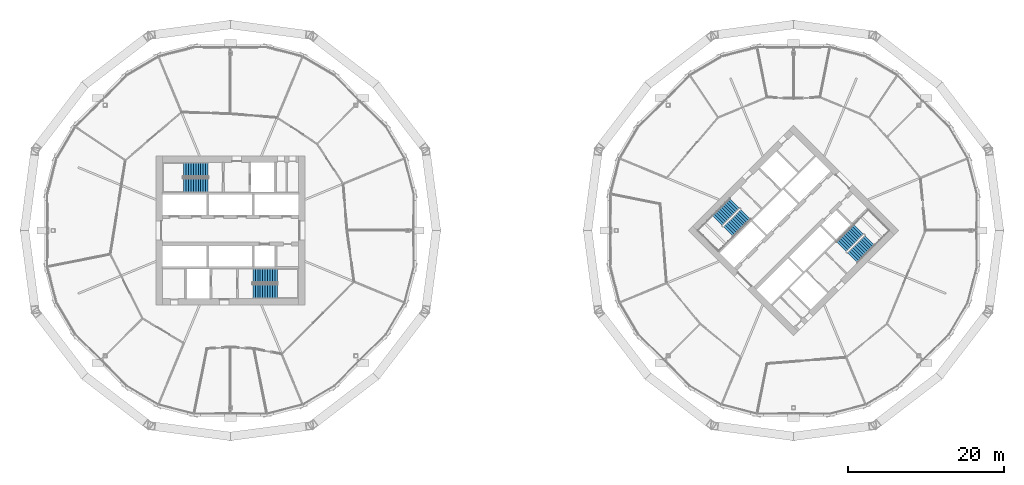
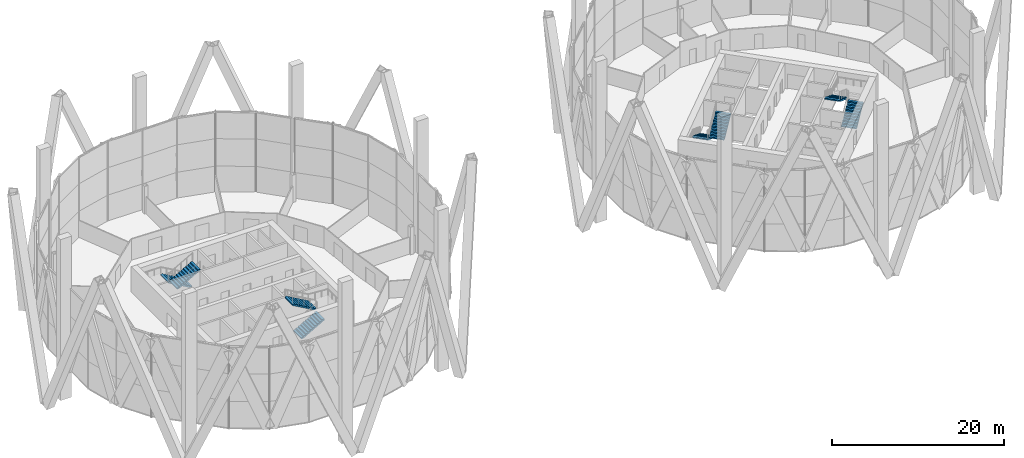
# One storey, part 23 of 26: 8 stair flights, 4 elements without a shape of their own.
"""IFC4 building model written with IfcOpenShell, lengths in metres."""

from ifc_helpers import new_model, si_unit, direction, frame, origin, place, context, subcontext, project, spatial, polyline, outline, extrude, material, type_object, element, aggregate, save


model = new_model("IFC4")

# Units and contexts
model_context = context("Model", 3, precision=1e-05, world=origin(), true_north=direction((0.0, 1.0)))
body_context = subcontext(model_context, "Body", "Model", "MODEL_VIEW")
ifc_project = project(units=[si_unit("LENGTHUNIT", "METRE"), si_unit("AREAUNIT", "SQUARE_METRE"), si_unit("VOLUMEUNIT", "CUBIC_METRE"), si_unit("PLANEANGLEUNIT", "RADIAN"), si_unit("MASSUNIT", "GRAM", prefix="KILO")], contexts=[model_context])

# Site, building, storey
site_placement = place(None, origin())
site = spatial("IfcSite", under=ifc_project, at=site_placement, CompositionType="ELEMENT")
building_placement = place(site_placement, origin())
building = spatial("IfcBuilding", under=site, at=building_placement, Name="Ogive Gate Towers", CompositionType="ELEMENT")
storey_placement = place(building_placement, frame((0.0, 0.0, 76.199951171875)))
storey = spatial("IfcBuildingStorey", under=building, at=storey_placement, Name="L17", CompositionType="ELEMENT", Elevation=76.199951171875)

# Stair, stair flights
ifc_material = material(Name="Concrete C40/50", Category="concrete")
stair_type = type_object("IfcStairType", Name="Escape stair 1840 wide", PredefinedType="HALF_TURN_STAIR", material=ifc_material)
stair_1_placement = place(storey_placement, origin())
stair_1 = element("IfcStair", 1, at=stair_1_placement, inside=storey, type_object=stair_type, Name="L17 Escape stair 1", PredefinedType="HALF_TURN_STAIR")
stair_flight_type = type_object("IfcStairFlightType", Name="Stair flight 1840 wide", PredefinedType="STRAIGHT", material=ifc_material)
stair_flight_1_placement = place(storey_placement, frame((-38.864990234375, 7.780029296875, 0.0), z_axis=(0.0, 0.0, 1.0), x_axis=(-1.0, 0.0, 0.0)))
stair_flight_1 = element("IfcStairFlight", 2, at=stair_flight_1_placement, type_object=stair_flight_type, Name="ST1 flight 1", NumberOfRisers=11, NumberOfTreads=10, PredefinedType="STRAIGHT", RiserHeight=0.177272727, TreadLength=0.313636364, context=body_context, shape_type="SweptSolid", body=[
    extrude(outline(polyline([(0.0, 0.0), (0.0, 0.17724609375), (0.313720703125, 0.17724609375), (0.313720703125, 0.3544921875), (0.627197265625, 0.3544921875), (0.627197265625, 0.53173828125), (0.94091796875, 0.53173828125), (0.94091796875, 0.708984375), (1.254638671875, 0.708984375), (1.254638671875, 0.886474609375), (1.568115234375, 0.886474609375), (1.568115234375, 1.063720703125), (1.8818359375, 1.063720703125), (1.8818359375, 1.240966796875), (2.195556640625, 1.240966796875), (2.195556640625, 1.418212890625), (2.509033203125, 1.418212890625), (2.509033203125, 1.595458984375), (2.82275390625, 1.595458984375), (2.82275390625, 1.772705078125), (3.136474609375, 1.772705078125), (3.136474609375, 1.949951171875), (3.136474609375, 1.6005859375), (0.3046875, 0.0), (0.0, 0.0)])), frame((0.0, 0.919921875, 0.0), z_axis=(0.0, -1.0, 0.0), x_axis=(1.0, 0.0, 0.0)), (0.0, 0.0, 1.0), 1.840087890625),
])
stair_flight_2_placement = place(storey_placement, frame((-42.00146484375, 5.794921875, 1.949951171875), z_axis=(0.0, 0.0, 1.0), x_axis=(1.0, 0.0, 0.0)))
stair_flight_2 = element("IfcStairFlight", 3, at=stair_flight_2_placement, type_object=stair_flight_type, Name="ST1 flight 2", NumberOfRisers=11, NumberOfTreads=10, PredefinedType="STRAIGHT", RiserHeight=0.177272727, TreadLength=0.313636364, context=body_context, shape_type="SweptSolid", body=[
    extrude(outline(polyline([(0.0, 0.0), (0.0, 0.17724609375), (0.313720703125, 0.17724609375), (0.313720703125, 0.3544921875), (0.627197265625, 0.3544921875), (0.627197265625, 0.53173828125), (0.94091796875, 0.53173828125), (0.94091796875, 0.708984375), (1.254638671875, 0.708984375), (1.254638671875, 0.886474609375), (1.568115234375, 0.886474609375), (1.568115234375, 1.063720703125), (1.8818359375, 1.063720703125), (1.8818359375, 1.240966796875), (2.195556640625, 1.240966796875), (2.195556640625, 1.418212890625), (2.509033203125, 1.418212890625), (2.509033203125, 1.595458984375), (2.82275390625, 1.595458984375), (2.82275390625, 1.772705078125), (3.136474609375, 1.772705078125), (3.136474609375, 1.949951171875), (3.136474609375, 1.6005859375), (0.3046875, 0.0), (0.0, 0.0)])), frame((0.0, 0.919921875, 0.0), z_axis=(0.0, -1.0, 0.0), x_axis=(1.0, 0.0, 0.0)), (0.0, 0.0, 1.0), 1.840087890625),
])
aggregate(stair_1, [stair_flight_1, stair_flight_2])

stair_2_placement = place(storey_placement, origin())
stair_2 = element("IfcStair", 4, at=stair_2_placement, inside=storey, type_object=stair_type, Name="L17 Escape stair 2", PredefinedType="HALF_TURN_STAIR")
stair_flight_3_placement = place(storey_placement, frame((-33.135009765625, -7.780029296875, 0.0), z_axis=(0.0, 0.0, 1.0), x_axis=(1.0, 0.0, 0.0)))
stair_flight_3 = element("IfcStairFlight", 5, at=stair_flight_3_placement, type_object=stair_flight_type, Name="ST2 flight 1", NumberOfRisers=11, NumberOfTreads=10, PredefinedType="STRAIGHT", RiserHeight=0.177272727, TreadLength=0.313636364, context=body_context, shape_type="SweptSolid", body=[
    extrude(outline(polyline([(0.0, 0.0), (0.0, 0.17724609375), (0.313720703125, 0.17724609375), (0.313720703125, 0.3544921875), (0.627197265625, 0.3544921875), (0.627197265625, 0.53173828125), (0.94091796875, 0.53173828125), (0.94091796875, 0.708984375), (1.254638671875, 0.708984375), (1.254638671875, 0.886474609375), (1.568115234375, 0.886474609375), (1.568115234375, 1.063720703125), (1.8818359375, 1.063720703125), (1.8818359375, 1.240966796875), (2.195556640625, 1.240966796875), (2.195556640625, 1.418212890625), (2.509033203125, 1.418212890625), (2.509033203125, 1.595458984375), (2.82275390625, 1.595458984375), (2.82275390625, 1.772705078125), (3.136474609375, 1.772705078125), (3.136474609375, 1.949951171875), (3.136474609375, 1.6005859375), (0.3046875, 0.0), (0.0, 0.0)])), frame((0.0, 0.919921875, 0.0), z_axis=(0.0, -1.0, 0.0), x_axis=(1.0, 0.0, 0.0)), (0.0, 0.0, 1.0), 1.840087890625),
])
stair_flight_4_placement = place(storey_placement, frame((-29.99853515625, -5.794921875, 1.949951171875), z_axis=(0.0, 0.0, 1.0), x_axis=(-1.0, 0.0, 0.0)))
stair_flight_4 = element("IfcStairFlight", 6, at=stair_flight_4_placement, type_object=stair_flight_type, Name="ST2 flight 2", NumberOfRisers=11, NumberOfTreads=10, PredefinedType="STRAIGHT", RiserHeight=0.177272727, TreadLength=0.313636364, context=body_context, shape_type="SweptSolid", body=[
    extrude(outline(polyline([(0.0, 0.0), (0.0, 0.17724609375), (0.313720703125, 0.17724609375), (0.313720703125, 0.3544921875), (0.627197265625, 0.3544921875), (0.627197265625, 0.53173828125), (0.94091796875, 0.53173828125), (0.94091796875, 0.708984375), (1.254638671875, 0.708984375), (1.254638671875, 0.886474609375), (1.568115234375, 0.886474609375), (1.568115234375, 1.063720703125), (1.8818359375, 1.063720703125), (1.8818359375, 1.240966796875), (2.195556640625, 1.240966796875), (2.195556640625, 1.418212890625), (2.509033203125, 1.418212890625), (2.509033203125, 1.595458984375), (2.82275390625, 1.595458984375), (2.82275390625, 1.772705078125), (3.136474609375, 1.772705078125), (3.136474609375, 1.949951171875), (3.136474609375, 1.6005859375), (0.3046875, 0.0), (0.0, 0.0)])), frame((0.0, 0.919921875, 0.0), z_axis=(0.0, -1.0, 0.0), x_axis=(1.0, 0.0, 0.0)), (0.0, 0.0, 1.0), 1.840087890625),
])
aggregate(stair_2, [stair_flight_3, stair_flight_4])

stair_3_placement = place(storey_placement, origin())
stair_3 = element("IfcStair", 7, at=stair_3_placement, inside=storey, type_object=stair_type, Name="L17 Escape stair 1", PredefinedType="HALF_TURN_STAIR")
stair_flight_5_placement = place(storey_placement, frame((28.472900390625, 3.475341796875, 0.0), z_axis=(0.0, 0.0, 1.0), x_axis=(-0.707106781187, -0.707106781187, 0.0)))
stair_flight_5 = element("IfcStairFlight", 8, at=stair_flight_5_placement, type_object=stair_flight_type, Name="ST1 flight 1", NumberOfRisers=11, NumberOfTreads=10, PredefinedType="STRAIGHT", RiserHeight=0.177272727, TreadLength=0.313636364, context=body_context, shape_type="SweptSolid", body=[
    extrude(outline(polyline([(0.0, 0.0), (0.0, 0.17724609375), (0.313720703125, 0.17724609375), (0.313720703125, 0.3544921875), (0.627197265625, 0.3544921875), (0.627197265625, 0.53173828125), (0.94091796875, 0.53173828125), (0.94091796875, 0.708984375), (1.254638671875, 0.708984375), (1.254638671875, 0.886474609375), (1.568115234375, 0.886474609375), (1.568115234375, 1.063720703125), (1.8818359375, 1.063720703125), (1.8818359375, 1.240966796875), (2.195556640625, 1.240966796875), (2.195556640625, 1.418212890625), (2.509033203125, 1.418212890625), (2.509033203125, 1.595458984375), (2.82275390625, 1.595458984375), (2.82275390625, 1.772705078125), (3.136474609375, 1.772705078125), (3.136474609375, 1.949951171875), (3.136474609375, 1.6005859375), (0.3046875, 0.0), (0.0, 0.0)])), frame((0.0, 0.919921875, 0.0), z_axis=(0.0, -1.0, 0.0), x_axis=(1.0, 0.0, 0.0)), (0.0, 0.0, 1.0), 1.840087890625),
])
stair_flight_6_placement = place(storey_placement, frame((27.65869140625, -0.14599609375, 1.949951171875), z_axis=(0.0, 0.0, 1.0), x_axis=(0.707106781187, 0.707106781187, 0.0)))
stair_flight_6 = element("IfcStairFlight", 9, at=stair_flight_6_placement, type_object=stair_flight_type, Name="ST1 flight 2", NumberOfRisers=11, NumberOfTreads=10, PredefinedType="STRAIGHT", RiserHeight=0.177272727, TreadLength=0.313636364, context=body_context, shape_type="SweptSolid", body=[
    extrude(outline(polyline([(0.0, 0.0), (0.0, 0.17724609375), (0.313720703125, 0.17724609375), (0.313720703125, 0.3544921875), (0.627197265625, 0.3544921875), (0.627197265625, 0.53173828125), (0.94091796875, 0.53173828125), (0.94091796875, 0.708984375), (1.254638671875, 0.708984375), (1.254638671875, 0.886474609375), (1.568115234375, 0.886474609375), (1.568115234375, 1.063720703125), (1.8818359375, 1.063720703125), (1.8818359375, 1.240966796875), (2.195556640625, 1.240966796875), (2.195556640625, 1.418212890625), (2.509033203125, 1.418212890625), (2.509033203125, 1.595458984375), (2.82275390625, 1.595458984375), (2.82275390625, 1.772705078125), (3.136474609375, 1.772705078125), (3.136474609375, 1.949951171875), (3.136474609375, 1.6005859375), (0.3046875, 0.0), (0.0, 0.0)])), frame((0.0, 0.919921875, 0.0), z_axis=(0.0, -1.0, 0.0), x_axis=(1.0, 0.0, 0.0)), (0.0, 0.0, 1.0), 1.840087890625),
])
aggregate(stair_3, [stair_flight_5, stair_flight_6])

stair_4_placement = place(storey_placement, origin())
stair_4 = element("IfcStair", 10, at=stair_4_placement, inside=storey, type_object=stair_type, Name="L17 Escape stair 2", PredefinedType="HALF_TURN_STAIR")
stair_flight_7_placement = place(storey_placement, frame((43.527099609375, -3.475341796875, 0.0), z_axis=(0.0, 0.0, 1.0), x_axis=(0.707106781187, 0.707106781187, 0.0)))
stair_flight_7 = element("IfcStairFlight", 11, at=stair_flight_7_placement, type_object=stair_flight_type, Name="ST2 flight 1", NumberOfRisers=11, NumberOfTreads=10, PredefinedType="STRAIGHT", RiserHeight=0.177272727, TreadLength=0.313636364, context=body_context, shape_type="SweptSolid", body=[
    extrude(outline(polyline([(0.0, 0.0), (0.0, 0.17724609375), (0.313720703125, 0.17724609375), (0.313720703125, 0.3544921875), (0.627197265625, 0.3544921875), (0.627197265625, 0.53173828125), (0.94091796875, 0.53173828125), (0.94091796875, 0.708984375), (1.254638671875, 0.708984375), (1.254638671875, 0.886474609375), (1.568115234375, 0.886474609375), (1.568115234375, 1.063720703125), (1.8818359375, 1.063720703125), (1.8818359375, 1.240966796875), (2.195556640625, 1.240966796875), (2.195556640625, 1.418212890625), (2.509033203125, 1.418212890625), (2.509033203125, 1.595458984375), (2.82275390625, 1.595458984375), (2.82275390625, 1.772705078125), (3.136474609375, 1.772705078125), (3.136474609375, 1.949951171875), (3.136474609375, 1.6005859375), (0.3046875, 0.0), (0.0, 0.0)])), frame((0.0, 0.919921875, 0.0), z_axis=(0.0, -1.0, 0.0), x_axis=(1.0, 0.0, 0.0)), (0.0, 0.0, 1.0), 1.840087890625),
])
stair_flight_8_placement = place(storey_placement, frame((44.34130859375, 0.14599609375, 1.949951171875), z_axis=(0.0, 0.0, 1.0), x_axis=(-0.707106781187, -0.707106781187, 0.0)))
stair_flight_8 = element("IfcStairFlight", 12, at=stair_flight_8_placement, type_object=stair_flight_type, Name="ST2 flight 2", NumberOfRisers=11, NumberOfTreads=10, PredefinedType="STRAIGHT", RiserHeight=0.177272727, TreadLength=0.313636364, context=body_context, shape_type="SweptSolid", body=[
    extrude(outline(polyline([(0.0, 0.0), (0.0, 0.17724609375), (0.313720703125, 0.17724609375), (0.313720703125, 0.3544921875), (0.627197265625, 0.3544921875), (0.627197265625, 0.53173828125), (0.94091796875, 0.53173828125), (0.94091796875, 0.708984375), (1.254638671875, 0.708984375), (1.254638671875, 0.886474609375), (1.568115234375, 0.886474609375), (1.568115234375, 1.063720703125), (1.8818359375, 1.063720703125), (1.8818359375, 1.240966796875), (2.195556640625, 1.240966796875), (2.195556640625, 1.418212890625), (2.509033203125, 1.418212890625), (2.509033203125, 1.595458984375), (2.82275390625, 1.595458984375), (2.82275390625, 1.772705078125), (3.136474609375, 1.772705078125), (3.136474609375, 1.949951171875), (3.136474609375, 1.6005859375), (0.3046875, 0.0), (0.0, 0.0)])), frame((0.0, 0.919921875, 0.0), z_axis=(0.0, -1.0, 0.0), x_axis=(1.0, 0.0, 0.0)), (0.0, 0.0, 1.0), 1.840087890625),
])
aggregate(stair_4, [stair_flight_7, stair_flight_8])

save(model, "model.ifc")
